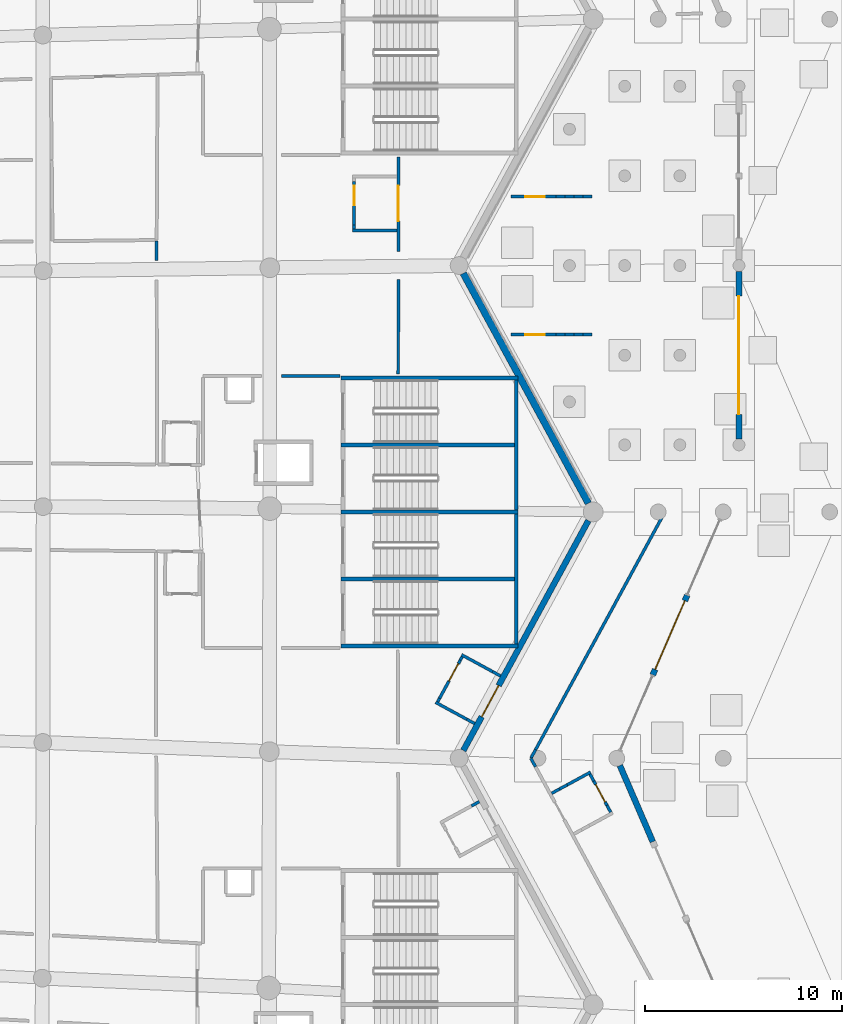
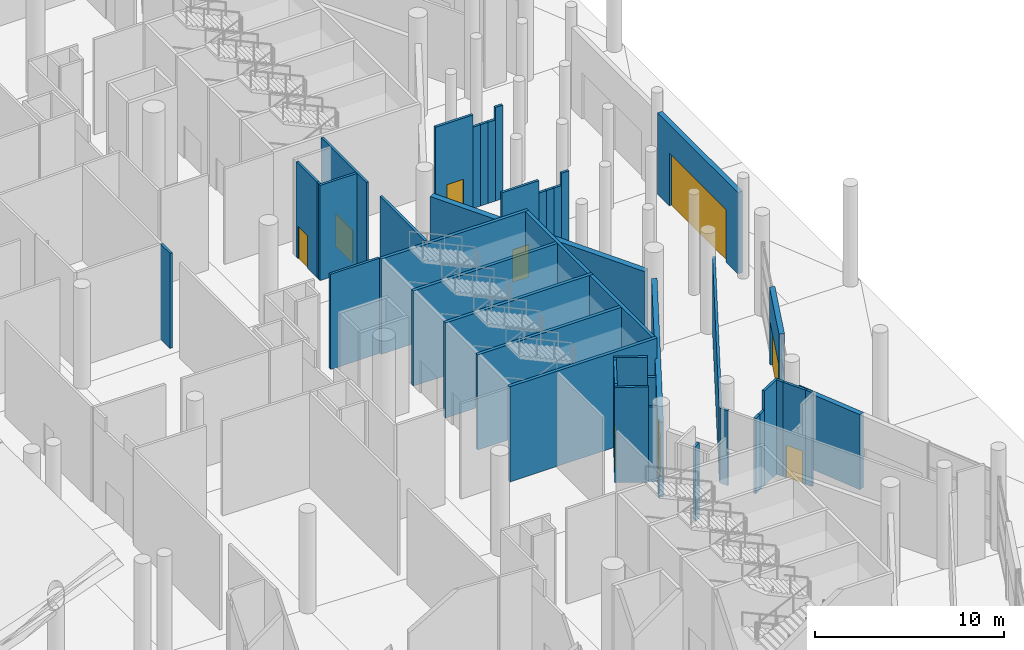
# One storey, part 131 of 255: 46 walls, 9 doors, 9 openings.
"""IFC4 building model written with IfcOpenShell, lengths in metres."""

from ifc_helpers import new_model, si_unit, direction, frame, frame_2d, origin, place, context, subcontext, project, spatial, rectangle, extrude, material, layer, layer_set, type_object, element, fill, save


model = new_model("IFC4")

# Units and contexts
model_context = context("Model", 3, precision=1e-05, world=origin(), true_north=direction((0.0, 1.0)))
body_context = subcontext(model_context, "Body", "Model", "MODEL_VIEW")
ifc_project = project(units=[si_unit("LENGTHUNIT", "METRE"), si_unit("AREAUNIT", "SQUARE_METRE"), si_unit("VOLUMEUNIT", "CUBIC_METRE"), si_unit("PLANEANGLEUNIT", "RADIAN"), si_unit("MASSUNIT", "GRAM", prefix="KILO")], contexts=[model_context])

# Site, building, storey
site_placement = place(None, origin())
site = spatial("IfcSite", under=ifc_project, at=site_placement, CompositionType="ELEMENT")
building_placement = place(site_placement, origin())
building = spatial("IfcBuilding", under=site, at=building_placement, Name="Meseta Stadium", CompositionType="ELEMENT")
storey_placement = place(building_placement, origin())
storey = spatial("IfcBuildingStorey", under=building, at=storey_placement, Name="L00", CompositionType="ELEMENT", Elevation=0.0)

# Walls
ifc_material_1 = material(Name="Concrete C40/50", Category="concrete")
ifc_layer_1 = layer(ifc_material_1, 0.199951171875)
ifc_layer_set_1 = layer_set([ifc_layer_1], Name="Core divider wall 200")
wall_type_1 = type_object("IfcWallType", Name="Core divider wall 200", PredefinedType="SHEAR", material=ifc_layer_set_1)
for number, where, z_axis, x_axis, name in (
    (1, (97.60009765625, -9.64990234375, 0.0), (0.0, 0.0, 1.0), (-1.0, 0.0, 0.0), "Core 03 L00 stair A divider wall"),
    (2, (97.60009765625, -2.85009765625, 0.0), (0.0, 0.0, 1.0), (-1.0, 0.0, 0.0), "Core 03 L00 stair B divider wall"),
):
    element("IfcWall", number, at=place(storey_placement, frame(where, z_axis=z_axis, x_axis=x_axis)), inside=storey, type_object=wall_type_1, Name=name, PredefinedType="SHEAR", context=body_context, shape_type="SweptSolid", body=[
        extrude(rectangle(XDim=9.0, YDim=0.199951171875, at=frame_2d((4.5, 0.0))), origin(), (0.0, 0.0, 1.0), 6.14990234375),
    ])
ifc_material_2 = material(Name="Concrete C40/50", Category="concrete")
ifc_layer_2 = layer(ifc_material_2, 0.199951171875)
ifc_layer_set_2 = layer_set([ifc_layer_2], Name="Core shaft wall 200")
wall_type_2 = type_object("IfcWallType", Name="Core shaft wall 200", PredefinedType="SHEAR", material=ifc_layer_set_2)
for number, where, z_axis, x_axis, name in (
    (3, (97.60009765625, -13.050048828125, 0.0), (0.0, 0.0, 1.0), (-1.0, 0.0, 0.0), "Core 03 L00 stair wall A-side"),
    (4, (97.60009765625, -6.25, 0.0), (0.0, 0.0, 1.0), (-1.0, 0.0, 0.0), "Core 03 L00 stair wall shared"),
    (5, (97.60009765625, 0.550048828125, 0.0), (0.0, 0.0, 1.0), (-1.0, 0.0, 0.0), "Core 03 L00 stair wall B-side"),
):
    element("IfcWall", number, at=place(storey_placement, frame(where, z_axis=z_axis, x_axis=x_axis)), inside=storey, type_object=wall_type_2, Name=name, PredefinedType="SHEAR", context=body_context, shape_type="SweptSolid", body=[
        extrude(rectangle(XDim=9.0, YDim=0.199951171875, at=frame_2d((4.5, 0.0))), origin(), (0.0, 0.0, 1.0), 6.14990234375),
    ])
for number, where, z_axis, x_axis, name in (
    (6, (97.5, -12.949951171875, 0.0), (0.0, 0.0, 1.0), (0.0, 1.0, 0.0), "Core 03 L00 stair A outer end wall"),
    (7, (97.5, -6.14990234375, 0.0), (0.0, 0.0, 1.0), (0.0, 1.0, 0.0), "Core 03 L00 stair B outer end wall"),
):
    element("IfcWall", number, at=place(storey_placement, frame(where, z_axis=z_axis, x_axis=x_axis)), inside=storey, type_object=wall_type_2, Name=name, PredefinedType="SHEAR", context=body_context, shape_type="SweptSolid", body=[
        extrude(rectangle(XDim=6.599853515625, YDim=0.199951171875, at=frame_2d((3.2998046875, 0.0))), origin(), (0.0, 0.0, 1.0), 6.14990234375),
    ])

# Wall, opening, door
ifc_material_3 = material(Name="Precast concrete C40/50", Category="concrete")
ifc_layer_3 = layer(ifc_material_3, 0.300048828125)
ifc_layer_set_3 = layer_set([ifc_layer_3], Name="Gate facade panel wall 300")
wall_type_3 = type_object("IfcWallType", Name="Gate facade panel wall 300", PredefinedType="SOLIDWALL", material=ifc_layer_set_3)
wall_1_placement = place(storey_placement, frame((108.800048828125, 5.949951171875, 0.0), z_axis=(0.0, 0.0, 1.0), x_axis=(0.0, -1.0, 0.0)))
wall_1 = element("IfcWall", 8, at=wall_1_placement, inside=storey, type_object=wall_type_3, Name="Gate 1 entrance wall", PredefinedType="SOLIDWALL", context=body_context, shape_type="SweptSolid", body=[
    extrude(rectangle(XDim=8.5, YDim=0.300048828125, at=frame_2d((4.25, 0.0))), origin(), (0.0, 0.0, 1.0), 5.25),
])
opening_1_placement = place(wall_1_placement, frame((1.25, 0.0, 0.0)))
opening_1 = element("IfcOpeningElement", 9, at=opening_1_placement, cuts=wall_1, Name="Opening D004", PredefinedType="OPENING", context=body_context, shape_type="SweptSolid", body=[
    extrude(rectangle(XDim=6.0, YDim=3.39990234375, at=frame_2d((3.0, 1.699951171875))), frame((0.0, 0.159912109375, 0.0), z_axis=(0.0, -1.0, 0.0), x_axis=(1.0, 0.0, 0.0)), (0.0, 0.0, 1.0), 0.320068359375),
])
ifc_material_4 = material(Name="Steel", Category="steel")
door_type_1 = type_object("IfcDoorType", Name="Main entrance door 6000x3400", OperationType="DOUBLE_DOOR_SINGLE_SWING", PredefinedType="DOOR", material=ifc_material_4)
door_1_placement = place(opening_1_placement, origin())
door_1 = element("IfcDoor", 10, at=door_1_placement, inside=storey, type_object=door_type_1, Name="Main entrance E1", OperationType="DOUBLE_DOOR_SINGLE_SWING", OverallHeight=3.39990234375, OverallWidth=6.0, PredefinedType="DOOR", context=body_context, shape_type="SweptSolid", body=[
    extrude(rectangle(XDim=6.0, YDim=3.39990234375, at=frame_2d((3.0, 1.699951171875))), frame((0.0, 0.02490234375, 0.0), z_axis=(0.0, -1.0, 0.0), x_axis=(1.0, 0.0, 0.0)), (0.0, 0.0, 1.0), 0.050048828125),
])
fill(opening_1, door_1)

ifc_material_5 = material(Name="Masonry blockwork", Category="masonry")
ifc_layer_4 = layer(ifc_material_5, 0.14990234375)
ifc_layer_set_4 = layer_set([ifc_layer_4], Name="Partition 150")
wall_type_4 = type_object("IfcWallType", Name="Partition 150", PredefinedType="PARTITIONING", material=ifc_layer_set_4)
wall_2_placement = place(storey_placement, frame((97.24462890625, 2.75, 0.0), z_axis=(0.0, 0.0, 1.0), x_axis=(1.0, 0.0, 0.0)))
wall_2 = element("IfcWall", 11, at=wall_2_placement, inside=storey, type_object=wall_type_4, Name="Partition L00 G1-L00-0-SecurityScreening-0", PredefinedType="PARTITIONING", context=body_context, shape_type="SweptSolid", body=[
    extrude(rectangle(XDim=2.28076171875, YDim=0.14990234375, at=frame_2d((1.140380859375, 0.0))), origin(), (0.0, 0.0, 1.0), 6.050048828125),
])
opening_2_placement = place(wall_2_placement, frame((0.699951171875, 0.0, 0.0)))
opening_2 = element("IfcOpeningElement", 12, at=opening_2_placement, cuts=wall_2, Name="Opening D513", PredefinedType="OPENING", context=body_context, shape_type="SweptSolid", body=[
    extrude(rectangle(XDim=1.0, YDim=2.10009765625, at=frame_2d((0.5, 1.050048828125))), frame((0.0, 0.0849609375, 0.0), z_axis=(0.0, -1.0, 0.0), x_axis=(1.0, 0.0, 0.0)), (0.0, 0.0, 1.0), 0.169921875),
])
ifc_material_6 = material(Name="Steel", Category="steel")
door_type_2 = type_object("IfcDoorType", Name="Fire door 1000x2100 EI2 60", OperationType="NOTDEFINED", PredefinedType="DOOR", material=ifc_material_6)
door_2_placement = place(opening_2_placement, origin())
door_2 = element("IfcDoor", 13, at=door_2_placement, inside=storey, type_object=door_type_2, Name="Door D513", OperationType="SINGLE_SWING_LEFT", OverallHeight=2.10009765625, OverallWidth=1.0, PredefinedType="DOOR", context=body_context, shape_type="SweptSolid", body=[
    extrude(rectangle(XDim=1.0, YDim=2.10009765625, at=frame_2d((0.5, 1.050048828125))), frame((0.0, 0.02490234375, 0.0), z_axis=(0.0, -1.0, 0.0), x_axis=(1.0, 0.0, 0.0)), (0.0, 0.0, 1.0), 0.050048828125),
])
fill(opening_2, door_2)

# Walls
wall_3_placement = place(storey_placement, frame((99.525390625, 2.75, 0.0), z_axis=(0.0, 0.0, 1.0), x_axis=(1.0, 0.0, 0.0)))
element("IfcWall", 14, at=wall_3_placement, inside=storey, type_object=wall_type_4, Name="Partition L00 G1-L00-0-SecurityScreening-0", PredefinedType="PARTITIONING", context=body_context, shape_type="SweptSolid", body=[
    extrude(rectangle(XDim=0.456298828125, YDim=0.14990234375, at=frame_2d((0.22802734375, 0.0))), origin(), (0.0, 0.0, 1.0), 5.25),
])
for number, where, z_axis, x_axis, name in (
    (15, (99.981689453125, 2.75, 0.0), (0.0, 0.0, 1.0), (1.0, 0.0, 0.0), "Partition L00 G1-L00-0-SecurityScreening-0"),
    (16, (100.437744140625, 2.75, 0.0), (0.0, 0.0, 1.0), (1.0, 0.0, 0.0), "Partition L00 G1-L00-0-SecurityScreening-0"),
):
    element("IfcWall", number, at=place(storey_placement, frame(where, z_axis=z_axis, x_axis=x_axis)), inside=storey, type_object=wall_type_4, Name=name, PredefinedType="PARTITIONING", context=body_context, shape_type="SweptSolid", body=[
        extrude(rectangle(XDim=0.4560546875, YDim=0.14990234375, at=frame_2d((0.22802734375, 0.0))), origin(), (0.0, 0.0, 1.0), 5.25),
    ])
wall_4_placement = place(storey_placement, frame((100.893798828125, 2.75, 0.0), z_axis=(0.0, 0.0, 1.0), x_axis=(1.0, 0.0, 0.0)))
element("IfcWall", 17, at=wall_4_placement, inside=storey, type_object=wall_type_4, Name="Partition L00 G1-L00-0-SecurityScreening-0", PredefinedType="PARTITIONING", context=body_context, shape_type="SweptSolid", body=[
    extrude(rectangle(XDim=0.456298828125, YDim=0.14990234375, at=frame_2d((0.22802734375, 0.0))), origin(), (0.0, 0.0, 1.0), 6.050048828125),
])

# Wall, opening, door
wall_5_placement = place(storey_placement, frame((99.525390625, 9.75, 0.0), z_axis=(0.0, 0.0, 1.0), x_axis=(-1.0, 0.0, 0.0)))
wall_5 = element("IfcWall", 18, at=wall_5_placement, inside=storey, type_object=wall_type_4, Name="Partition L00 G1-L00-1-TicketHall-0", PredefinedType="PARTITIONING", context=body_context, shape_type="SweptSolid", body=[
    extrude(rectangle(XDim=2.28076171875, YDim=0.14990234375, at=frame_2d((1.140380859375, 0.0))), origin(), (0.0, 0.0, 1.0), 6.050048828125),
])
opening_3_placement = place(wall_5_placement, frame((0.580810546875, 0.0, 0.0)))
opening_3 = element("IfcOpeningElement", 19, at=opening_3_placement, cuts=wall_5, Name="Opening D514", PredefinedType="OPENING", context=body_context, shape_type="SweptSolid", body=[
    extrude(rectangle(XDim=1.0, YDim=2.10009765625, at=frame_2d((0.5, 1.050048828125))), frame((0.0, 0.0849609375, 0.0), z_axis=(0.0, -1.0, 0.0), x_axis=(1.0, 0.0, 0.0)), (0.0, 0.0, 1.0), 0.169921875),
])
door_3_placement = place(opening_3_placement, origin())
door_3 = element("IfcDoor", 20, at=door_3_placement, inside=storey, type_object=door_type_2, Name="Door D514", OperationType="SINGLE_SWING_RIGHT", OverallHeight=2.10009765625, OverallWidth=1.0, PredefinedType="DOOR", context=body_context, shape_type="SweptSolid", body=[
    extrude(rectangle(XDim=1.0, YDim=2.10009765625, at=frame_2d((0.5, 1.050048828125))), frame((0.0, 0.02490234375, 0.0), z_axis=(0.0, -1.0, 0.0), x_axis=(1.0, 0.0, 0.0)), (0.0, 0.0, 1.0), 0.050048828125),
])
fill(opening_3, door_3)

# Walls
wall_6_placement = place(storey_placement, frame((99.525390625, 9.75, 0.0), z_axis=(0.0, 0.0, 1.0), x_axis=(1.0, 0.0, 0.0)))
element("IfcWall", 21, at=wall_6_placement, inside=storey, type_object=wall_type_4, Name="Partition L00 G1-L00-1-TicketHall-0", PredefinedType="PARTITIONING", context=body_context, shape_type="SweptSolid", body=[
    extrude(rectangle(XDim=0.456298828125, YDim=0.14990234375, at=frame_2d((0.22802734375, 0.0))), origin(), (0.0, 0.0, 1.0), 5.25),
])
for number, where, z_axis, x_axis, name in (
    (22, (99.981689453125, 9.75, 0.0), (0.0, 0.0, 1.0), (1.0, 0.0, 0.0), "Partition L00 G1-L00-1-TicketHall-0"),
    (23, (100.437744140625, 9.75, 0.0), (0.0, 0.0, 1.0), (1.0, 0.0, 0.0), "Partition L00 G1-L00-1-TicketHall-0"),
):
    element("IfcWall", number, at=place(storey_placement, frame(where, z_axis=z_axis, x_axis=x_axis)), inside=storey, type_object=wall_type_4, Name=name, PredefinedType="PARTITIONING", context=body_context, shape_type="SweptSolid", body=[
        extrude(rectangle(XDim=0.4560546875, YDim=0.14990234375, at=frame_2d((0.22802734375, 0.0))), origin(), (0.0, 0.0, 1.0), 5.25),
    ])
wall_7_placement = place(storey_placement, frame((100.893798828125, 9.75, 0.0), z_axis=(0.0, 0.0, 1.0), x_axis=(1.0, 0.0, 0.0)))
element("IfcWall", 24, at=wall_7_placement, inside=storey, type_object=wall_type_4, Name="Partition L00 G1-L00-1-TicketHall-0", PredefinedType="PARTITIONING", context=body_context, shape_type="SweptSolid", body=[
    extrude(rectangle(XDim=0.456298828125, YDim=0.14990234375, at=frame_2d((0.22802734375, 0.0))), origin(), (0.0, 0.0, 1.0), 6.050048828125),
])
wall_8_placement = place(storey_placement, frame((79.25537109375, 7.49462890625, 0.0), z_axis=(0.0, 0.0, 1.0), x_axis=(0.001237929232, -0.999999233765, 0.0)))
element("IfcWall", 25, at=wall_8_placement, inside=storey, type_object=wall_type_4, Name="Partition L00 L00-cell02-1-0w", PredefinedType="PARTITIONING", context=body_context, shape_type="SweptSolid", body=[
    extrude(rectangle(XDim=0.986083984375, YDim=0.14990234375, at=frame_2d((0.4931640625, 0.0))), origin(), (0.0, 0.0, 1.0), 6.14990234375),
])
wall_9_placement = place(storey_placement, frame((88.56005859375, 0.64990234375, 0.0), z_axis=(0.0, 0.0, 1.0), x_axis=(-1.0, 0.0, 0.0)))
element("IfcWall", 26, at=wall_9_placement, inside=storey, type_object=wall_type_4, Name="Partition L00 L00-cell02-2-0", PredefinedType="PARTITIONING", context=body_context, shape_type="SweptSolid", body=[
    extrude(rectangle(XDim=2.98291015625, YDim=0.14990234375, at=frame_2d((1.491455078125, 0.0))), origin(), (0.0, 0.0, 1.0), 6.14990234375),
])

# Wall, opening, door
wall_10_placement = place(storey_placement, frame((91.519287109375, 6.96728515625, 0.0), z_axis=(0.0, 0.0, 1.0), x_axis=(0.001174067593, 0.999999310782, 0.0)))
wall_10 = element("IfcWall", 27, at=wall_10_placement, inside=storey, type_object=wall_type_4, Name="Partition L00 L00-cell02-2-0", PredefinedType="PARTITIONING", context=body_context, shape_type="SweptSolid", body=[
    extrude(rectangle(XDim=4.78271484375, YDim=0.14990234375, at=frame_2d((2.391357421875, 0.0))), origin(), (0.0, 0.0, 1.0), 6.14990234375),
])
opening_4_placement = place(wall_10_placement, frame((1.53271484375, 0.0, 0.0)))
opening_4 = element("IfcOpeningElement", 28, at=opening_4_placement, cuts=wall_10, Name="Opening D545", PredefinedType="OPENING", context=body_context, shape_type="SweptSolid", body=[
    extrude(rectangle(XDim=1.800048828125, YDim=2.10009765625, at=frame_2d((0.89990234375, 1.050048828125))), frame((0.0, 0.0849609375, 0.0), z_axis=(0.0, -1.0, 0.0), x_axis=(1.0, 0.0, 0.0)), (0.0, 0.0, 1.0), 0.169921875),
])
ifc_material_7 = material(Name="Steel", Category="steel")
door_type_3 = type_object("IfcDoorType", Name="Fire double door 1800x2100 EI2 60", OperationType="DOUBLE_DOOR_SINGLE_SWING", PredefinedType="DOOR", material=ifc_material_7)
door_4_placement = place(opening_4_placement, frame((1.800048828125, 0.0, 0.0), z_axis=(0.0, 0.0, 1.0), x_axis=(-1.0, 0.0, 0.0)))
door_4 = element("IfcDoor", 29, at=door_4_placement, inside=storey, type_object=door_type_3, Name="Door D545", OperationType="DOUBLE_DOOR_SINGLE_SWING", OverallHeight=2.10009765625, OverallWidth=1.800048828125, PredefinedType="DOOR", context=body_context, shape_type="SweptSolid", body=[
    extrude(rectangle(XDim=1.800048828125, YDim=2.10009765625, at=frame_2d((0.89990234375, 1.050048828125))), frame((0.0, 0.02490234375, 0.0), z_axis=(0.0, -1.0, 0.0), x_axis=(1.0, 0.0, 0.0)), (0.0, 0.0, 1.0), 0.050048828125),
])
fill(opening_4, door_4)

# Walls
wall_11_placement = place(storey_placement, frame((91.517333984375, 5.53271484375, 0.0), z_axis=(0.0, 0.0, 1.0), x_axis=(-0.001174067593, -0.999999310782, 0.0)))
element("IfcWall", 30, at=wall_11_placement, inside=storey, type_object=wall_type_4, Name="Partition L00 L00-cell02-2-0", PredefinedType="PARTITIONING", context=body_context, shape_type="SweptSolid", body=[
    extrude(rectangle(XDim=4.78271484375, YDim=0.14990234375, at=frame_2d((2.391357421875, 0.0))), origin(), (0.0, 0.0, 1.0), 6.14990234375),
])
wall_12_placement = place(storey_placement, frame((98.477294921875, -19.180908203125, 0.0), z_axis=(0.0, 0.0, 1.0), x_axis=(-0.477805639801, 0.878465577342, 0.0)))
element("IfcWall", 31, at=wall_12_placement, inside=storey, type_object=wall_type_4, Name="Partition L00 L00-ring01-0", PredefinedType="PARTITIONING", context=body_context, shape_type="SweptSolid", body=[
    extrude(rectangle(XDim=0.490478515625, YDim=0.14990234375, at=frame_2d((0.2451171875, 0.0))), origin(), (0.0, 0.0, 1.0), 4.85009765625),
])
wall_13_placement = place(storey_placement, frame((98.242919921875, -18.75, 0.0), z_axis=(0.0, 0.0, 1.0), x_axis=(0.477924582155, 0.878400873048, 0.0)))
element("IfcWall", 32, at=wall_13_placement, inside=storey, type_object=wall_type_4, Name="Partition L00 L00-ring01-0", PredefinedType="PARTITIONING", context=body_context, shape_type="SweptSolid", body=[
    extrude(rectangle(XDim=0.498046875, YDim=0.14990234375, at=frame_2d((0.2490234375, 0.0))), origin(), (0.0, 0.0, 1.0), 4.85009765625),
])
wall_14_placement = place(storey_placement, frame((98.48095703125, -18.3125, 0.0), z_axis=(0.0, 0.0, 1.0), x_axis=(0.47786854719, 0.878431358506, 0.0)))
element("IfcWall", 33, at=wall_14_placement, inside=storey, type_object=wall_type_4, Name="Partition L00 L00-ring01-0", PredefinedType="PARTITIONING", context=body_context, shape_type="SweptSolid", body=[
    extrude(rectangle(XDim=13.447265625, YDim=0.14990234375, at=frame_2d((6.7236328125, 0.0))), origin(), (0.0, 0.0, 1.0), 4.85009765625),
])
for number, where, z_axis, x_axis, name in (
    (34, (95.626953125, -20.95166015625, 0.0), (0.0, 0.0, 1.0), (-0.878372019733, -0.477977609256, 0.0), "Partition L00 L00-cell01-3-0 vestibule"),
    (35, (96.7021484375, -14.57177734375, 0.0), (0.0, 0.0, 1.0), (-0.878372019733, 0.477977609256, 0.0), "Partition L00 L00-cell01-3-0 vestibule"),
):
    element("IfcWall", number, at=place(storey_placement, frame(where, z_axis=z_axis, x_axis=x_axis)), inside=storey, type_object=wall_type_4, Name=name, PredefinedType="PARTITIONING", context=body_context, shape_type="SweptSolid", body=[
        extrude(rectangle(XDim=0.449951171875, YDim=0.14990234375, at=frame_2d((0.22509765625, 0.0))), origin(), (0.0, 0.0, 1.0), 4.85009765625),
    ])
wall_15_placement = place(storey_placement, frame((96.306884765625, -14.356689453125, 0.0), z_axis=(0.0, 0.0, 1.0), x_axis=(-0.878428962466, 0.477872951632, 0.0)))
element("IfcWall", 36, at=wall_15_placement, inside=storey, type_object=wall_type_4, Name="Partition L00 L00-cell01-3-0 vestibule", PredefinedType="PARTITIONING", context=body_context, shape_type="SweptSolid", body=[
    extrude(rectangle(XDim=1.7998046875, YDim=0.14990234375, at=frame_2d((0.89990234375, 0.0))), origin(), (0.0, 0.0, 1.0), 6.14990234375),
])
wall_16_placement = place(storey_placement, frame((95.38818359375, -16.9873046875, 0.0), z_axis=(0.0, 0.0, 1.0), x_axis=(-0.878372019733, 0.477977609256, 0.0)))
element("IfcWall", 37, at=wall_16_placement, inside=storey, type_object=wall_type_4, Name="Partition L00 L00-cell01-3-0 vestibule", PredefinedType="PARTITIONING", context=body_context, shape_type="SweptSolid", body=[
    extrude(rectangle(XDim=0.449951171875, YDim=0.14990234375, at=frame_2d((0.22509765625, 0.0))), origin(), (0.0, 0.0, 1.0), 4.85009765625),
])
wall_17_placement = place(storey_placement, frame((94.992919921875, -16.772216796875, 0.0), z_axis=(0.0, 0.0, 1.0), x_axis=(-0.878459932885, 0.477816017223, 0.0)))
element("IfcWall", 38, at=wall_17_placement, inside=storey, type_object=wall_type_4, Name="Partition L00 L00-cell01-3-0 vestibule", PredefinedType="PARTITIONING", context=body_context, shape_type="SweptSolid", body=[
    extrude(rectangle(XDim=1.800048828125, YDim=0.14990234375, at=frame_2d((0.89990234375, 0.0))), origin(), (0.0, 0.0, 1.0), 6.14990234375),
])
wall_18_placement = place(storey_placement, frame((94.755859375, -13.59814453125, 0.0), z_axis=(0.0, 0.0, 1.0), x_axis=(-0.478168266369, -0.878268244352, 0.0)))
element("IfcWall", 39, at=wall_18_placement, inside=storey, type_object=wall_type_4, Name="Partition L00 L00-cell01-3-0 vestibule", PredefinedType="PARTITIONING", context=body_context, shape_type="SweptSolid", body=[
    extrude(rectangle(XDim=0.2001953125, YDim=0.14990234375, at=frame_2d((0.10009765625, 0.0))), origin(), (0.0, 0.0, 1.0), 6.14990234375),
])

# Wall, opening, door
wall_19_placement = place(storey_placement, frame((94.66015625, -13.77392578125, 0.0), z_axis=(0.0, 0.0, 1.0), x_axis=(-0.477887643273, -0.878420969927, 0.0)))
wall_19 = element("IfcWall", 40, at=wall_19_placement, inside=storey, type_object=wall_type_4, Name="Partition L00 L00-cell01-3-0 vestibule", PredefinedType="PARTITIONING", context=body_context, shape_type="SweptSolid", body=[
    extrude(rectangle(XDim=2.19970703125, YDim=0.14990234375, at=frame_2d((1.099853515625, 0.0))), origin(), (0.0, 0.0, 1.0), 6.14990234375),
])
opening_5_placement = place(wall_19_placement, frame((0.199951171875, 0.0, 0.0)))
opening_5 = element("IfcOpeningElement", 41, at=opening_5_placement, cuts=wall_19, Name="Opening D823", PredefinedType="OPENING", context=body_context, shape_type="SweptSolid", body=[
    extrude(rectangle(XDim=1.0, YDim=2.10009765625, at=frame_2d((0.5, 1.050048828125))), frame((0.0, 0.0849609375, 0.0), z_axis=(0.0, -1.0, 0.0), x_axis=(1.0, 0.0, 0.0)), (0.0, 0.0, 1.0), 0.169921875),
])
door_5_placement = place(opening_5_placement, origin())
door_5 = element("IfcDoor", 42, at=door_5_placement, inside=storey, type_object=door_type_2, Name="Vestibule door L00 L00-cell01-3-0", OperationType="SINGLE_SWING_LEFT", OverallHeight=2.10009765625, OverallWidth=1.0, PredefinedType="DOOR", context=body_context, shape_type="SweptSolid", body=[
    extrude(rectangle(XDim=1.0, YDim=2.10009765625, at=frame_2d((0.5, 1.050048828125))), frame((0.0, 0.02490234375, 0.0), z_axis=(0.0, -1.0, 0.0), x_axis=(1.0, 0.0, 0.0)), (0.0, 0.0, 1.0), 0.050048828125),
])
fill(opening_5, door_5)

# Walls
wall_20_placement = place(storey_placement, frame((93.60888671875, -15.706298828125, 0.0), z_axis=(0.0, 0.0, 1.0), x_axis=(-0.477226530971, -0.878780312785, 0.0)))
element("IfcWall", 43, at=wall_20_placement, inside=storey, type_object=wall_type_4, Name="Partition L00 L00-cell01-3-0 vestibule", PredefinedType="PARTITIONING", context=body_context, shape_type="SweptSolid", body=[
    extrude(rectangle(XDim=0.199951171875, YDim=0.14990234375, at=frame_2d((0.10009765625, 0.0))), origin(), (0.0, 0.0, 1.0), 6.14990234375),
])
wall_21_placement = place(storey_placement, frame((91.445556640625, 8.025146484375, 0.0), z_axis=(0.0, 0.0, 1.0), x_axis=(-0.999999287688, 0.001193575539, 0.0)))
element("IfcWall", 44, at=wall_21_placement, inside=storey, type_object=wall_type_4, Name="Partition L00 L00-cell02-2-0 vestibule", PredefinedType="PARTITIONING", context=body_context, shape_type="SweptSolid", body=[
    extrude(rectangle(XDim=2.25, YDim=0.14990234375, at=frame_2d((1.125, 0.0))), origin(), (0.0, 0.0, 1.0), 6.14990234375),
])

# Wall, opening, door
wall_22_placement = place(storey_placement, frame((89.2734375, 10.502685546875, 0.0), z_axis=(0.0, 0.0, 1.0), x_axis=(-0.001220729309, -0.99999925491, 0.0)))
wall_22 = element("IfcWall", 45, at=wall_22_placement, inside=storey, type_object=wall_type_4, Name="Partition L00 L00-cell02-2-0 vestibule", PredefinedType="PARTITIONING", context=body_context, shape_type="SweptSolid", body=[
    extrude(rectangle(XDim=2.199951171875, YDim=0.14990234375, at=frame_2d((1.10009765625, 0.0))), origin(), (0.0, 0.0, 1.0), 6.14990234375),
])
opening_6_placement = place(wall_22_placement, frame((0.199951171875, 0.0, 0.0)))
opening_6 = element("IfcOpeningElement", 46, at=opening_6_placement, cuts=wall_22, Name="Opening D824", PredefinedType="OPENING", context=body_context, shape_type="SweptSolid", body=[
    extrude(rectangle(XDim=1.0, YDim=2.10009765625, at=frame_2d((0.5, 1.050048828125))), frame((0.0, 0.0849609375, 0.0), z_axis=(0.0, -1.0, 0.0), x_axis=(1.0, 0.0, 0.0)), (0.0, 0.0, 1.0), 0.169921875),
])
door_6_placement = place(opening_6_placement, origin())
door_6 = element("IfcDoor", 47, at=door_6_placement, inside=storey, type_object=door_type_2, Name="Vestibule door L00 L00-cell02-2-0", OperationType="SINGLE_SWING_LEFT", OverallHeight=2.10009765625, OverallWidth=1.0, PredefinedType="DOOR", context=body_context, shape_type="SweptSolid", body=[
    extrude(rectangle(XDim=1.0, YDim=2.10009765625, at=frame_2d((0.5, 1.050048828125))), frame((0.0, 0.02490234375, 0.0), z_axis=(0.0, -1.0, 0.0), x_axis=(1.0, 0.0, 0.0)), (0.0, 0.0, 1.0), 0.050048828125),
])
fill(opening_6, door_6)

# Walls
wall_23_placement = place(storey_placement, frame((89.270751953125, 8.302734375, 0.0), z_axis=(0.0, 0.0, 1.0), x_axis=(-0.001221000311, -0.999999254579, 0.0)))
element("IfcWall", 48, at=wall_23_placement, inside=storey, type_object=wall_type_4, Name="Partition L00 L00-cell02-2-0 vestibule", PredefinedType="PARTITIONING", context=body_context, shape_type="SweptSolid", body=[
    extrude(rectangle(XDim=0.199951171875, YDim=0.14990234375, at=frame_2d((0.10009765625, 0.0))), origin(), (0.0, 0.0, 1.0), 6.14990234375),
])
for number, where, z_axis, x_axis, name in (
    (49, (99.295166015625, -20.527587890625, 0.0), (0.0, 0.0, 1.0), (0.878372019733, 0.477977609256, 0.0), "Partition L00 L00-ring01-0 vestibule"),
    (50, (99.6904296875, -20.3125, 0.0), (0.0, 0.0, 1.0), (0.878372019733, 0.477977609256, 0.0), "Partition L00 L00-ring01-0 vestibule"),
):
    element("IfcWall", number, at=place(storey_placement, frame(where, z_axis=z_axis, x_axis=x_axis)), inside=storey, type_object=wall_type_4, Name=name, PredefinedType="PARTITIONING", context=body_context, shape_type="SweptSolid", body=[
        extrude(rectangle(XDim=0.449951171875, YDim=0.14990234375, at=frame_2d((0.22509765625, 0.0))), origin(), (0.0, 0.0, 1.0), 4.85009765625),
    ])
wall_24_placement = place(storey_placement, frame((100.085693359375, -20.097412109375, 0.0), z_axis=(0.0, 0.0, 1.0), x_axis=(0.878447942246, 0.477838061234, 0.0)))
element("IfcWall", 51, at=wall_24_placement, inside=storey, type_object=wall_type_4, Name="Partition L00 L00-ring01-0 vestibule", PredefinedType="PARTITIONING", context=body_context, shape_type="SweptSolid", body=[
    extrude(rectangle(XDim=1.349853515625, YDim=0.14990234375, at=frame_2d((0.6748046875, 0.0))), origin(), (0.0, 0.0, 1.0), 6.10009765625),
])
wall_25_placement = place(storey_placement, frame((102.29296875, -21.486572265625, 0.0), z_axis=(0.0, 0.0, 1.0), x_axis=(-0.477953755799, 0.878384999483, 0.0)))
element("IfcWall", 52, at=wall_25_placement, inside=storey, type_object=wall_type_4, Name="Partition L00 L00-ring01-0 vestibule", PredefinedType="PARTITIONING", context=body_context, shape_type="SweptSolid", body=[
    extrude(rectangle(XDim=0.39990234375, YDim=0.14990234375, at=frame_2d((0.199951171875, 0.0))), origin(), (0.0, 0.0, 1.0), 6.10009765625),
])

# Wall, opening, door
wall_26_placement = place(storey_placement, frame((102.101806640625, -21.13525390625, 0.0), z_axis=(0.0, 0.0, 1.0), x_axis=(-0.477984423658, 0.878368311553, 0.0)))
wall_26 = element("IfcWall", 53, at=wall_26_placement, inside=storey, type_object=wall_type_4, Name="Partition L00 L00-ring01-0 vestibule", PredefinedType="PARTITIONING", context=body_context, shape_type="SweptSolid", body=[
    extrude(rectangle(XDim=1.39990234375, YDim=0.14990234375, at=frame_2d((0.699951171875, 0.0))), origin(), (0.0, 0.0, 1.0), 6.10009765625),
])
opening_7_placement = place(wall_26_placement, frame((0.199951171875, 0.0, 0.0)))
opening_7 = element("IfcOpeningElement", 54, at=opening_7_placement, cuts=wall_26, Name="Opening D869", PredefinedType="OPENING", context=body_context, shape_type="SweptSolid", body=[
    extrude(rectangle(XDim=1.0, YDim=2.10009765625, at=frame_2d((0.5, 1.050048828125))), frame((0.0, 0.0849609375, 0.0), z_axis=(0.0, -1.0, 0.0), x_axis=(1.0, 0.0, 0.0)), (0.0, 0.0, 1.0), 0.169921875),
])
door_7_placement = place(opening_7_placement, origin())
door_7 = element("IfcDoor", 55, at=door_7_placement, inside=storey, type_object=door_type_2, Name="Vestibule door L00 L00-ring01-0", OperationType="SINGLE_SWING_LEFT", OverallHeight=2.10009765625, OverallWidth=1.0, PredefinedType="DOOR", context=body_context, shape_type="SweptSolid", body=[
    extrude(rectangle(XDim=1.0, YDim=2.10009765625, at=frame_2d((0.5, 1.050048828125))), frame((0.0, 0.02490234375, 0.0), z_axis=(0.0, -1.0, 0.0), x_axis=(1.0, 0.0, 0.0)), (0.0, 0.0, 1.0), 0.050048828125),
])
fill(opening_7, door_7)

# Wall
wall_27_placement = place(storey_placement, frame((101.4326171875, -19.905517578125, 0.0), z_axis=(0.0, 0.0, 1.0), x_axis=(-0.477226530971, 0.878780312785, 0.0)))
element("IfcWall", 56, at=wall_27_placement, inside=storey, type_object=wall_type_4, Name="Partition L00 L00-ring01-0 vestibule", PredefinedType="PARTITIONING", context=body_context, shape_type="SweptSolid", body=[
    extrude(rectangle(XDim=0.400146484375, YDim=0.14990234375, at=frame_2d((0.2001953125, 0.0))), origin(), (0.0, 0.0, 1.0), 6.10009765625),
])

# Wall, opening, door
ifc_material_8 = material(Name="White precast concrete C40/50", Category="concrete")
ifc_layer_5 = layer(ifc_material_8, 0.300048828125)
ifc_layer_set_5 = layer_set([ifc_layer_5], Name="Pleated panel wall 300 concourse")
wall_type_5 = type_object("IfcWallType", Name="Pleated panel wall 300 concourse", PredefinedType="SOLIDWALL", material=ifc_layer_set_5)
wall_28_placement = place(storey_placement, frame((101.1611328125, -6.68896484375, 0.0), z_axis=(0.0, 0.0, 1.0), x_axis=(-0.477867771117, -0.878431780691, 0.0)))
wall_28 = element("IfcWall", 57, at=wall_28_placement, inside=storey, type_object=wall_type_5, Name="Pleated facade panel L00 F03", PredefinedType="SOLIDWALL", context=body_context, shape_type="SweptSolid", body=[
    extrude(rectangle(XDim=13.2802734375, YDim=0.300048828125, at=frame_2d((6.64013671875, 0.0))), origin(), (0.0, 0.0, 1.0), 4.85009765625),
])
opening_8_placement = place(wall_28_placement, frame((9.530029296875, 0.0, 0.0)))
opening_8 = element("IfcOpeningElement", 58, at=opening_8_placement, cuts=wall_28, Name="Opening D972", PredefinedType="OPENING", context=body_context, shape_type="SweptSolid", body=[
    extrude(rectangle(XDim=1.800048828125, YDim=2.39990234375, at=frame_2d((0.89990234375, 1.199951171875))), frame((0.0, 0.159912109375, 0.0), z_axis=(0.0, -1.0, 0.0), x_axis=(1.0, 0.0, 0.0)), (0.0, 0.0, 1.0), 0.320068359375),
])
ifc_material_9 = material(Name="Steel", Category="steel")
door_type_4 = type_object("IfcDoorType", Name="Fire double door 1800x2400 EI2 60", OperationType="DOUBLE_DOOR_SINGLE_SWING", PredefinedType="DOOR", material=ifc_material_9)
door_8_placement = place(opening_8_placement, origin())
door_8 = element("IfcDoor", 59, at=door_8_placement, inside=storey, type_object=door_type_4, Name="Concourse door", OperationType="DOUBLE_DOOR_SINGLE_SWING", OverallHeight=2.39990234375, OverallWidth=1.800048828125, PredefinedType="DOOR", context=body_context, shape_type="SweptSolid", body=[
    extrude(rectangle(XDim=1.800048828125, YDim=2.39990234375, at=frame_2d((0.89990234375, 1.199951171875))), frame((0.0, 0.02490234375, 0.0), z_axis=(0.0, -1.0, 0.0), x_axis=(1.0, 0.0, 0.0)), (0.0, 0.0, 1.0), 0.050048828125),
])
fill(opening_8, door_8)

# Walls
ifc_material_10 = material(Name="White precast concrete C40/50", Category="concrete")
ifc_layer_6 = layer(ifc_material_10, 0.35009765625)
ifc_layer_set_6 = layer_set([ifc_layer_6], Name="Pleated panel wall 350 gate")
wall_type_6 = type_object("IfcWallType", Name="Pleated panel wall 350 gate", PredefinedType="SOLIDWALL", material=ifc_layer_set_6)
wall_29_placement = place(storey_placement, frame((94.81494140625, 5.854736328125, 0.0), z_axis=(0.0, 0.0, 1.0), x_axis=(0.477867771117, -0.878431780691, 0.0)))
element("IfcWall", 60, at=wall_29_placement, inside=storey, type_object=wall_type_6, Name="Pleated facade panel L00 F04", PredefinedType="SOLIDWALL", context=body_context, shape_type="SweptSolid", body=[
    extrude(rectangle(XDim=13.2802734375, YDim=0.35009765625, at=frame_2d((6.64013671875, 0.0))), origin(), (0.0, 0.0, 1.0), 4.85009765625),
])
ifc_material_11 = material(Name="Precast concrete C40/50", Category="concrete")
ifc_layer_7 = layer(ifc_material_11, 0.300048828125)
ifc_layer_set_7 = layer_set([ifc_layer_7], Name="Ring facade panel wall 300")
wall_type_7 = type_object("IfcWallType", Name="Ring facade panel wall 300", PredefinedType="SOLIDWALL", material=ifc_layer_set_7)
wall_30_placement = place(storey_placement, frame((102.758544921875, -19.1171875, 0.0), z_axis=(0.0, 0.0, 1.0), x_axis=(0.396578253752, -0.918000919744, 0.0)))
element("IfcWall", 61, at=wall_30_placement, inside=storey, type_object=wall_type_7, Name="Ring store panel wall F02b", PredefinedType="SOLIDWALL", context=body_context, shape_type="SweptSolid", body=[
    extrude(rectangle(XDim=4.208251953125, YDim=0.300048828125, at=frame_2d((2.10400390625, 0.0))), origin(), (0.0, 0.0, 1.0), 4.85009765625),
])

# Wall, opening, door
wall_31_placement = place(storey_placement, frame((106.172607421875, -10.48046875, 0.0), z_axis=(0.0, 0.0, 1.0), x_axis=(-0.396623075329, -0.917981555434, 0.0)))
wall_31 = element("IfcWall", 62, at=wall_31_placement, inside=storey, type_object=wall_type_7, Name="Ring facade panel wall F03", PredefinedType="SOLIDWALL", context=body_context, shape_type="SweptSolid", body=[
    extrude(rectangle(XDim=4.39990234375, YDim=0.300048828125, at=frame_2d((2.199951171875, 0.0))), origin(), (0.0, 0.0, 1.0), 4.85009765625),
])
opening_9_placement = place(wall_31_placement, frame((0.300048828125, 0.0, 0.0)))
opening_9 = element("IfcOpeningElement", 63, at=opening_9_placement, cuts=wall_31, Name="Opening D935", PredefinedType="OPENING", context=body_context, shape_type="SweptSolid", body=[
    extrude(rectangle(XDim=3.800048828125, YDim=2.800048828125, at=frame_2d((1.89990234375, 1.39990234375))), frame((0.0, 0.159912109375, 0.0), z_axis=(0.0, -1.0, 0.0), x_axis=(1.0, 0.0, 0.0)), (0.0, 0.0, 1.0), 0.320068359375),
])
ifc_material_12 = material(Name="Steel", Category="steel")
door_type_5 = type_object("IfcDoorType", Name="Final exit door 3800x2800", OperationType="DOUBLE_DOOR_SINGLE_SWING", PredefinedType="DOOR", material=ifc_material_12)
door_9_placement = place(opening_9_placement, origin())
door_9 = element("IfcDoor", 64, at=door_9_placement, inside=storey, type_object=door_type_5, Name="Final exit F40", OperationType="DOUBLE_DOOR_SINGLE_SWING", OverallHeight=2.800048828125, OverallWidth=3.800048828125, PredefinedType="DOOR", context=body_context, shape_type="SweptSolid", body=[
    extrude(rectangle(XDim=3.800048828125, YDim=2.800048828125, at=frame_2d((1.89990234375, 1.39990234375))), frame((0.0, 0.02490234375, 0.0), z_axis=(0.0, -1.0, 0.0), x_axis=(1.0, 0.0, 0.0)), (0.0, 0.0, 1.0), 0.050048828125),
])
fill(opening_9, door_9)

save(model, "model.ifc")
